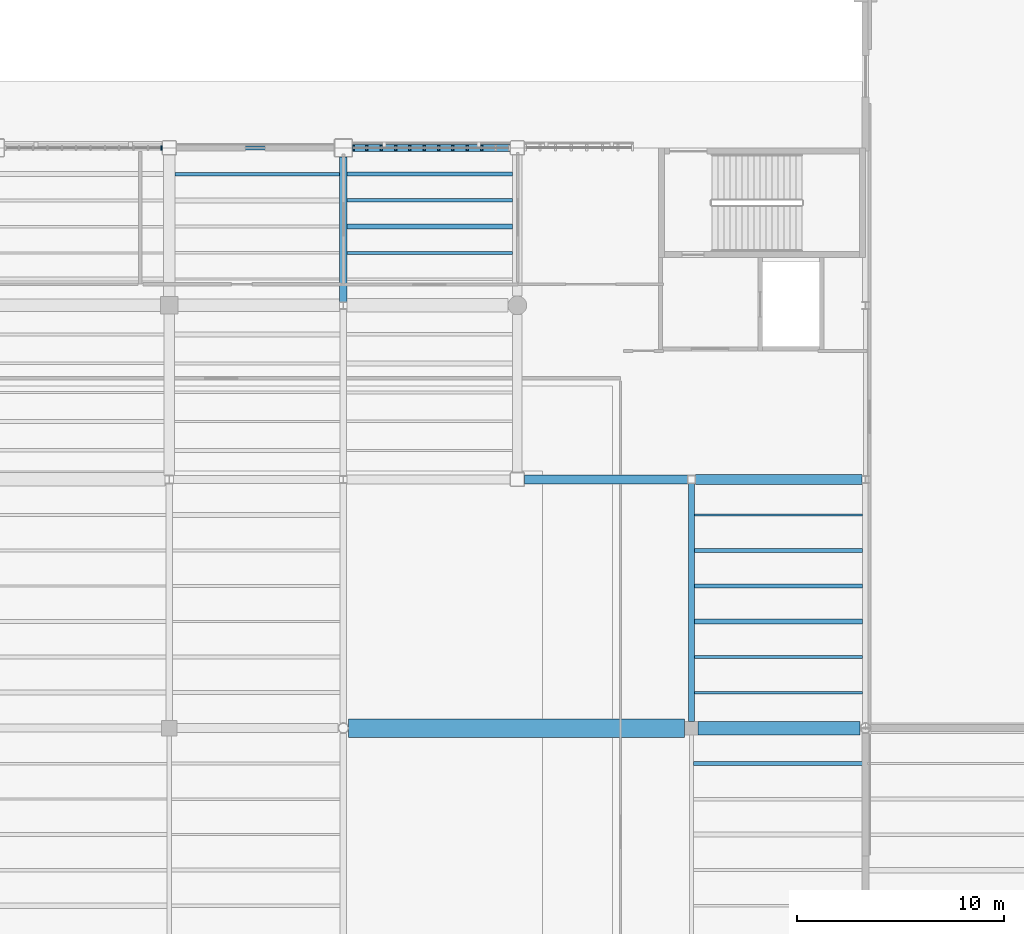
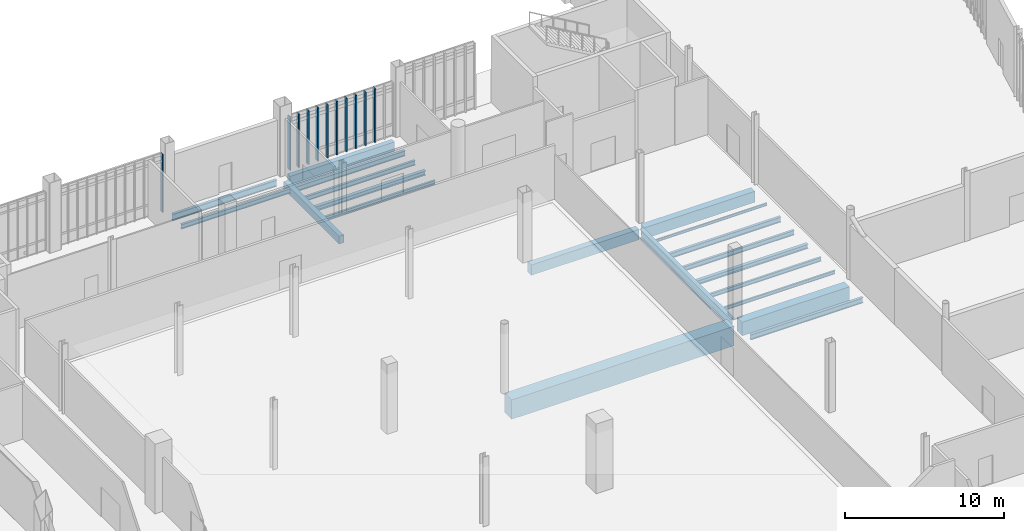
# One storey, part 26 of 111: 20 beams, 11 members, 2 elements without a shape of their own.
"""IFC4 building model written with IfcOpenShell, lengths in metres."""

from ifc_helpers import new_model, si_unit, direction, frame, origin, origin_2d, place, context, subcontext, project, spatial, rectangle, i_section, extrude, material, material_profile, profile_set, type_object, element, aggregate, save


model = new_model("IFC4")

# Units and contexts
model_context = context("Model", 3, precision=1e-05, world=origin(), true_north=direction((0.0, 1.0)))
body_context = subcontext(model_context, "Body", "Model", "MODEL_VIEW")
ifc_project = project(units=[si_unit("LENGTHUNIT", "METRE"), si_unit("AREAUNIT", "SQUARE_METRE"), si_unit("VOLUMEUNIT", "CUBIC_METRE"), si_unit("PLANEANGLEUNIT", "RADIAN"), si_unit("MASSUNIT", "GRAM", prefix="KILO")], contexts=[model_context])

# Site, building, storey
site_placement = place(None, origin())
site = spatial("IfcSite", under=ifc_project, at=site_placement, CompositionType="ELEMENT")
building_placement = place(site_placement, origin())
building = spatial("IfcBuilding", under=site, at=building_placement, Name="Larkvane Passage Sports Hall", CompositionType="ELEMENT")
storey_placement = place(building_placement, origin())
storey = spatial("IfcBuildingStorey", under=building, at=storey_placement, Name="L00", CompositionType="ELEMENT", Elevation=0.0)

# Beams
ifc_material_1 = material(Name="Concrete C40/50", Category="concrete")
ifc_material_profile_1 = material_profile(ifc_material_1, rectangle(XDim=0.35009765625, YDim=0.60009765625, at=origin_2d()), Name="RC-BM-350x600")
ifc_profile_set_1 = profile_set([ifc_material_profile_1], Name="Concrete C40/50")
beam_type_1 = type_object("IfcBeamType", Name="BM-RC-350x600", PredefinedType="BEAM", material=ifc_profile_set_1)
beam_1_placement = place(storey_placement, frame((68.39990234375, 84.175048828125, -0.719970703125), z_axis=(0.0, 1.0, 0.0), x_axis=(-1.0, 0.0, 0.0)))
element("IfcBeam", 1, at=beam_1_placement, inside=storey, type_object=beam_type_1, Name="Girder BM5-Y-L00-10-0106", PredefinedType="BEAM", context=body_context, shape_type="SweptSolid", body=[
    extrude(rectangle(XDim=0.35009765625, YDim=0.60009765625, at=origin_2d()), origin(), (0.0, 0.0, 1.0), 6.974853515625),
])
ifc_material_profile_2 = material_profile(ifc_material_1, rectangle(XDim=0.449951171875, YDim=0.800048828125, at=origin_2d()), Name="RC-BM-450x800")
ifc_profile_set_2 = profile_set([ifc_material_profile_2], Name="Concrete C40/50")
beam_type_2 = type_object("IfcBeamType", Name="BM-RC-450x800", PredefinedType="BEAM", material=ifc_profile_set_2)
beam_2_placement = place(storey_placement, frame((77.14990234375, 75.60009765625, -0.820068359375), z_axis=(1.0, 0.0, 0.0), x_axis=(0.0, 1.0, 0.0)))
element("IfcBeam", 2, at=beam_2_placement, inside=storey, type_object=beam_type_2, Name="Girder BM5-X-L00-J-0058", PredefinedType="BEAM", context=body_context, shape_type="SweptSolid", body=[
    extrude(rectangle(XDim=0.449951171875, YDim=0.800048828125, at=origin_2d()), origin(), (0.0, 0.0, 1.0), 7.85009765625),
])
ifc_material_profile_3 = material_profile(ifc_material_1, rectangle(XDim=0.5, YDim=0.85009765625, at=origin_2d()), Name="RC-BM-500x850")
ifc_profile_set_3 = profile_set([ifc_material_profile_3], Name="Concrete C40/50")
beam_type_3 = type_object("IfcBeamType", Name="BM-RC-500x850", PredefinedType="BEAM", material=ifc_profile_set_3)
beam_3_placement = place(storey_placement, frame((85.39990234375, 75.60009765625, -0.844970703125), z_axis=(1.0, 0.0, 0.0), x_axis=(0.0, 1.0, 0.0)))
element("IfcBeam", 3, at=beam_3_placement, inside=storey, type_object=beam_type_3, Name="Girder BM5-X-L00-J-0059", PredefinedType="BEAM", context=body_context, shape_type="SweptSolid", body=[
    extrude(rectangle(XDim=0.5, YDim=0.85009765625, at=origin_2d()), origin(), (0.0, 0.0, 1.0), 8.025146484375),
])
ifc_material_2 = material(Name="Steel S460N", Category="steel")
ifc_material_profile_4 = material_profile(ifc_material_2, i_section(OverallWidth=0.300048828125, OverallDepth=0.69189453125, WebThickness=0.012939453125, FlangeThickness=0.02001953125, FilletRadius=0.02197265625, at=origin_2d()), Name="H-692x300x13x20")
ifc_profile_set_4 = profile_set([ifc_material_profile_4], Name="Steel S460N")
beam_type_4 = type_object("IfcBeamType", Name="BM-STL-H692", PredefinedType="BEAM", material=ifc_profile_set_4)
beam_4_placement = place(storey_placement, frame((85.199951171875, 63.925048828125, -0.76611328125), z_axis=(0.0, 1.0, 0.0), x_axis=(-1.0, 0.0, 0.0)))
element("IfcBeam", 4, at=beam_4_placement, inside=storey, type_object=beam_type_4, Name="Girder BM5-Y-L00-12-0114", PredefinedType="BEAM", context=body_context, shape_type="SweptSolid", body=[
    extrude(i_section(OverallWidth=0.300048828125, OverallDepth=0.69189453125, WebThickness=0.012939453125, FlangeThickness=0.02001953125, FilletRadius=0.02197265625, at=origin_2d()), origin(), (0.0, 0.0, 1.0), 11.474853515625),
])

# Curtain wall, member
ifc_material_3 = material(Name="Thermally broken aluminium and low-E glazing", Category="aluminium")
curtain_wall_type_1 = type_object("IfcCurtainWallType", Name="CW-UNIT-VEIL", PredefinedType="USERDEFINED", material=ifc_material_3)
curtain_wall_1_placement = place(storey_placement, origin())
curtain_wall_1 = element("IfcCurtainWall", 5, at=curtain_wall_1_placement, inside=storey, type_object=curtain_wall_type_1, Name="Curtain wall CW5-L00-009", ObjectType="UNITISED CURTAIN WALL", PredefinedType="USERDEFINED")
ifc_material_4 = material(Name="Anodised aluminium 6063-T6", Category="aluminium")
ifc_material_profile_5 = material_profile(ifc_material_4, rectangle(XDim=0.074951171875, YDim=0.22509765625, at=origin_2d()), Name="ALU-MUL-75x225")
ifc_profile_set_5 = profile_set([ifc_material_profile_5], Name="Anodised aluminium 6063-T6")
member_type_1 = type_object("IfcMemberType", Name="CW-MUL-75x225", PredefinedType="MULLION", material=ifc_profile_set_5)
member_1_placement = place(storey_placement, frame((59.616455078125, 91.60009765625, 0.0), z_axis=(0.0, 0.0, 1.0), x_axis=(1.0, 0.0, 0.0)))
member_1 = element("IfcMember", 6, at=member_1_placement, type_object=member_type_1, Name="CW-02 mullion 12", PredefinedType="MULLION", context=body_context, shape_type="SweptSolid", body=[
    extrude(rectangle(XDim=0.074951171875, YDim=0.22509765625, at=origin_2d()), origin(), (0.0, 0.0, 1.0), 4.468017578125),
])
aggregate(curtain_wall_1, [member_1])

# Curtain wall, members
curtain_wall_type_2 = type_object("IfcCurtainWallType", Name="CW-STICK-FOYER", PredefinedType="USERDEFINED", material=ifc_material_3)
curtain_wall_2_placement = place(storey_placement, origin())
curtain_wall_2 = element("IfcCurtainWall", 7, at=curtain_wall_2_placement, inside=storey, type_object=curtain_wall_type_2, Name="Curtain wall CW5-L00-010", ObjectType="STICK CURTAIN WALL", PredefinedType="USERDEFINED")
ifc_material_profile_6 = material_profile(ifc_material_4, rectangle(XDim=0.090087890625, YDim=0.280029296875, at=origin_2d()), Name="ALU-MUL-90x280")
ifc_profile_set_6 = profile_set([ifc_material_profile_6], Name="Anodised aluminium 6063-T6")
member_type_2 = type_object("IfcMemberType", Name="CW-MUL-90x280", PredefinedType="MULLION", material=ifc_profile_set_6)
member_2_placement = place(storey_placement, frame((68.89111328125, 91.60009765625, 0.0), z_axis=(0.0, 0.0, 1.0), x_axis=(1.0, 0.0, 0.0)))
member_2 = element("IfcMember", 8, at=member_2_placement, type_object=member_type_2, Name="CW-03 mullion 1", PredefinedType="MULLION", context=body_context, shape_type="SweptSolid", body=[
    extrude(rectangle(XDim=0.090087890625, YDim=0.280029296875, at=origin_2d()), origin(), (0.0, 0.0, 1.0), 4.117919921875),
])
member_3_placement = place(storey_placement, frame((69.53759765625, 91.60009765625, 0.0), z_axis=(0.0, 0.0, 1.0), x_axis=(1.0, 0.0, 0.0)))
member_3 = element("IfcMember", 9, at=member_3_placement, type_object=member_type_2, Name="CW-03 mullion 2", PredefinedType="MULLION", context=body_context, shape_type="SweptSolid", body=[
    extrude(rectangle(XDim=0.090087890625, YDim=0.280029296875, at=origin_2d()), origin(), (0.0, 0.0, 1.0), 4.117919921875),
])
member_4_placement = place(storey_placement, frame((70.229248046875, 91.60009765625, 0.0), z_axis=(0.0, 0.0, 1.0), x_axis=(1.0, 0.0, 0.0)))
member_4 = element("IfcMember", 10, at=member_4_placement, type_object=member_type_2, Name="CW-03 mullion 3", PredefinedType="MULLION", context=body_context, shape_type="SweptSolid", body=[
    extrude(rectangle(XDim=0.090087890625, YDim=0.280029296875, at=origin_2d()), origin(), (0.0, 0.0, 1.0), 4.117919921875),
])
member_5_placement = place(storey_placement, frame((70.9208984375, 91.60009765625, 0.0), z_axis=(0.0, 0.0, 1.0), x_axis=(1.0, 0.0, 0.0)))
member_5 = element("IfcMember", 11, at=member_5_placement, type_object=member_type_2, Name="CW-03 mullion 4", PredefinedType="MULLION", context=body_context, shape_type="SweptSolid", body=[
    extrude(rectangle(XDim=0.090087890625, YDim=0.280029296875, at=origin_2d()), origin(), (0.0, 0.0, 1.0), 4.117919921875),
])
member_6_placement = place(storey_placement, frame((71.612548828125, 91.60009765625, 0.0), z_axis=(0.0, 0.0, 1.0), x_axis=(1.0, 0.0, 0.0)))
member_6 = element("IfcMember", 12, at=member_6_placement, type_object=member_type_2, Name="CW-03 mullion 5", PredefinedType="MULLION", context=body_context, shape_type="SweptSolid", body=[
    extrude(rectangle(XDim=0.090087890625, YDim=0.280029296875, at=origin_2d()), origin(), (0.0, 0.0, 1.0), 4.117919921875),
])
member_7_placement = place(storey_placement, frame((72.30419921875, 91.60009765625, 0.0), z_axis=(0.0, 0.0, 1.0), x_axis=(1.0, 0.0, 0.0)))
member_7 = element("IfcMember", 13, at=member_7_placement, type_object=member_type_2, Name="CW-03 mullion 6", PredefinedType="MULLION", context=body_context, shape_type="SweptSolid", body=[
    extrude(rectangle(XDim=0.090087890625, YDim=0.280029296875, at=origin_2d()), origin(), (0.0, 0.0, 1.0), 4.117919921875),
])
member_8_placement = place(storey_placement, frame((72.995849609375, 91.60009765625, 0.0), z_axis=(0.0, 0.0, 1.0), x_axis=(1.0, 0.0, 0.0)))
member_8 = element("IfcMember", 14, at=member_8_placement, type_object=member_type_2, Name="CW-03 mullion 7", PredefinedType="MULLION", context=body_context, shape_type="SweptSolid", body=[
    extrude(rectangle(XDim=0.090087890625, YDim=0.280029296875, at=origin_2d()), origin(), (0.0, 0.0, 1.0), 4.117919921875),
])
member_9_placement = place(storey_placement, frame((73.6875, 91.60009765625, 0.0), z_axis=(0.0, 0.0, 1.0), x_axis=(1.0, 0.0, 0.0)))
member_9 = element("IfcMember", 15, at=member_9_placement, type_object=member_type_2, Name="CW-03 mullion 8", PredefinedType="MULLION", context=body_context, shape_type="SweptSolid", body=[
    extrude(rectangle(XDim=0.090087890625, YDim=0.280029296875, at=origin_2d()), origin(), (0.0, 0.0, 1.0), 4.117919921875),
])
member_10_placement = place(storey_placement, frame((74.379150390625, 91.60009765625, 0.0), z_axis=(0.0, 0.0, 1.0), x_axis=(1.0, 0.0, 0.0)))
member_10 = element("IfcMember", 16, at=member_10_placement, type_object=member_type_2, Name="CW-03 mullion 9", PredefinedType="MULLION", context=body_context, shape_type="SweptSolid", body=[
    extrude(rectangle(XDim=0.090087890625, YDim=0.280029296875, at=origin_2d()), origin(), (0.0, 0.0, 1.0), 4.117919921875),
])
member_11_placement = place(storey_placement, frame((75.07080078125, 91.60009765625, 0.0), z_axis=(0.0, 0.0, 1.0), x_axis=(1.0, 0.0, 0.0)))
member_11 = element("IfcMember", 17, at=member_11_placement, type_object=member_type_2, Name="CW-03 mullion 10", PredefinedType="MULLION", context=body_context, shape_type="SweptSolid", body=[
    extrude(rectangle(XDim=0.090087890625, YDim=0.280029296875, at=origin_2d()), origin(), (0.0, 0.0, 1.0), 4.117919921875),
])
aggregate(curtain_wall_2, [member_2, member_3, member_4, member_5, member_6, member_7, member_8, member_9, member_10, member_11])

# Beams
ifc_material_5 = material(Name="Steel S355JR", Category="steel")
ifc_material_profile_7 = material_profile(ifc_material_5, i_section(OverallWidth=0.10009765625, OverallDepth=0.199951171875, WebThickness=0.005615234375, FlangeThickness=0.008056640625, FilletRadius=0.008056640625, at=origin_2d()), Name="H-200x100x5.5x8")
ifc_profile_set_7 = profile_set([ifc_material_profile_7], Name="Steel S355JR")
beam_type_5 = type_object("IfcBeamType", Name="JST-STL-H200", PredefinedType="JOIST", material=ifc_profile_set_7)
beam_5_placement = place(storey_placement, frame((85.35009765625, 73.8857421875, -0.52001953125), z_axis=(1.0, 0.0, 0.0), x_axis=(0.0, 1.0, 0.0)))
element("IfcBeam", 18, at=beam_5_placement, inside=storey, type_object=beam_type_5, Name="Composite joist L00 12/H-6", PredefinedType="JOIST", context=body_context, shape_type="SweptSolid", body=[
    extrude(i_section(OverallWidth=0.10009765625, OverallDepth=0.199951171875, WebThickness=0.005615234375, FlangeThickness=0.008056640625, FilletRadius=0.008056640625, at=origin_2d()), origin(), (0.0, 0.0, 1.0), 8.099853515625),
])
ifc_material_profile_8 = material_profile(ifc_material_5, i_section(OverallWidth=0.125, OverallDepth=0.25, WebThickness=0.006103515625, FlangeThickness=0.009033203125, FilletRadius=0.008056640625, at=origin_2d()), Name="H-250x125x6x9")
ifc_profile_set_8 = profile_set([ifc_material_profile_8], Name="Steel S355JR")
beam_type_6 = type_object("IfcBeamType", Name="JST-STL-H250", PredefinedType="JOIST", material=ifc_profile_set_8)
beam_6_placement = place(storey_placement, frame((85.35009765625, 65.314208984375, -0.544921875), z_axis=(1.0, 0.0, 0.0), x_axis=(0.0, 1.0, 0.0)))
element("IfcBeam", 19, at=beam_6_placement, inside=storey, type_object=beam_type_6, Name="Composite joist L00 12/H-1", PredefinedType="JOIST", context=body_context, shape_type="SweptSolid", body=[
    extrude(i_section(OverallWidth=0.125, OverallDepth=0.25, WebThickness=0.006103515625, FlangeThickness=0.009033203125, FilletRadius=0.008056640625, at=origin_2d()), origin(), (0.0, 0.0, 1.0), 8.099853515625),
])
ifc_material_profile_9 = material_profile(ifc_material_5, i_section(OverallWidth=0.14990234375, OverallDepth=0.300048828125, WebThickness=0.006591796875, FlangeThickness=0.009033203125, FilletRadius=0.012939453125, at=origin_2d()), Name="H-300x150x6.5x9")
ifc_profile_set_9 = profile_set([ifc_material_profile_9], Name="Steel S355JR")
beam_type_7 = type_object("IfcBeamType", Name="JST-STL-H300", PredefinedType="JOIST", material=ifc_profile_set_9)
beam_7_placement = place(storey_placement, frame((68.574951171875, 86.533447265625, -0.570068359375), z_axis=(1.0, 0.0, 0.0), x_axis=(0.0, 1.0, 0.0)))
element("IfcBeam", 20, at=beam_7_placement, inside=storey, type_object=beam_type_7, Name="Composite joist L00 10/K-2", PredefinedType="JOIST", context=body_context, shape_type="SweptSolid", body=[
    extrude(i_section(OverallWidth=0.14990234375, OverallDepth=0.300048828125, WebThickness=0.006591796875, FlangeThickness=0.009033203125, FilletRadius=0.012939453125, at=origin_2d()), origin(), (0.0, 0.0, 1.0), 8.0),
])
beam_8_placement = place(storey_placement, frame((85.35009765625, 67.028564453125, -0.570068359375), z_axis=(1.0, 0.0, 0.0), x_axis=(0.0, 1.0, 0.0)))
element("IfcBeam", 21, at=beam_8_placement, inside=storey, type_object=beam_type_7, Name="Composite joist L00 12/H-2", PredefinedType="JOIST", context=body_context, shape_type="SweptSolid", body=[
    extrude(i_section(OverallWidth=0.14990234375, OverallDepth=0.300048828125, WebThickness=0.006591796875, FlangeThickness=0.009033203125, FilletRadius=0.012939453125, at=origin_2d()), origin(), (0.0, 0.0, 1.0), 8.099853515625),
])
ifc_material_profile_10 = material_profile(ifc_material_5, i_section(OverallWidth=0.25, OverallDepth=0.340087890625, WebThickness=0.009033203125, FlangeThickness=0.013916015625, FilletRadius=0.012939453125, at=origin_2d()), Name="H-340x250x9x14")
ifc_profile_set_10 = profile_set([ifc_material_profile_10], Name="Steel S355JR")
beam_type_8 = type_object("IfcBeamType", Name="JST-STL-H340", PredefinedType="JOIST", material=ifc_profile_set_10)
beam_9_placement = place(storey_placement, frame((68.574951171875, 87.800048828125, -0.590087890625), z_axis=(1.0, 0.0, 0.0), x_axis=(0.0, 1.0, 0.0)))
element("IfcBeam", 22, at=beam_9_placement, inside=storey, type_object=beam_type_8, Name="Composite joist L00 10/K-3", PredefinedType="JOIST", context=body_context, shape_type="SweptSolid", body=[
    extrude(i_section(OverallWidth=0.25, OverallDepth=0.340087890625, WebThickness=0.009033203125, FlangeThickness=0.013916015625, FilletRadius=0.012939453125, at=origin_2d()), origin(), (0.0, 0.0, 1.0), 8.0),
])
beam_10_placement = place(storey_placement, frame((85.35009765625, 68.742919921875, -0.590087890625), z_axis=(1.0, 0.0, 0.0), x_axis=(0.0, 1.0, 0.0)))
element("IfcBeam", 23, at=beam_10_placement, inside=storey, type_object=beam_type_8, Name="Composite joist L00 12/H-3", PredefinedType="JOIST", context=body_context, shape_type="SweptSolid", body=[
    extrude(i_section(OverallWidth=0.25, OverallDepth=0.340087890625, WebThickness=0.009033203125, FlangeThickness=0.013916015625, FilletRadius=0.012939453125, at=origin_2d()), origin(), (0.0, 0.0, 1.0), 8.099853515625),
])
ifc_material_profile_11 = material_profile(ifc_material_5, i_section(OverallWidth=0.175048828125, OverallDepth=0.35009765625, WebThickness=0.007080078125, FlangeThickness=0.010986328125, FilletRadius=0.012939453125, at=origin_2d()), Name="H-350x175x7x11")
ifc_profile_set_11 = profile_set([ifc_material_profile_11], Name="Steel S355JR")
beam_type_9 = type_object("IfcBeamType", Name="JST-STL-H350", PredefinedType="JOIST", material=ifc_profile_set_11)
beam_11_placement = place(storey_placement, frame((60.27490234375, 90.333251953125, -0.594970703125), z_axis=(1.0, 0.0, 0.0), x_axis=(0.0, 1.0, 0.0)))
element("IfcBeam", 24, at=beam_11_placement, inside=storey, type_object=beam_type_9, Name="Composite joist L00 9/K-5", PredefinedType="JOIST", context=body_context, shape_type="SweptSolid", body=[
    extrude(i_section(OverallWidth=0.175048828125, OverallDepth=0.35009765625, WebThickness=0.007080078125, FlangeThickness=0.010986328125, FilletRadius=0.012939453125, at=origin_2d()), origin(), (0.0, 0.0, 1.0), 7.9501953125),
])
beam_12_placement = place(storey_placement, frame((68.574951171875, 89.066650390625, -0.594970703125), z_axis=(1.0, 0.0, 0.0), x_axis=(0.0, 1.0, 0.0)))
element("IfcBeam", 25, at=beam_12_placement, inside=storey, type_object=beam_type_9, Name="Composite joist L00 10/K-4", PredefinedType="JOIST", context=body_context, shape_type="SweptSolid", body=[
    extrude(i_section(OverallWidth=0.175048828125, OverallDepth=0.35009765625, WebThickness=0.007080078125, FlangeThickness=0.010986328125, FilletRadius=0.012939453125, at=origin_2d()), origin(), (0.0, 0.0, 1.0), 8.0),
])
beam_13_placement = place(storey_placement, frame((85.35009765625, 70.45703125, -0.594970703125), z_axis=(1.0, 0.0, 0.0), x_axis=(0.0, 1.0, 0.0)))
element("IfcBeam", 26, at=beam_13_placement, inside=storey, type_object=beam_type_9, Name="Composite joist L00 12/H-4", PredefinedType="JOIST", context=body_context, shape_type="SweptSolid", body=[
    extrude(i_section(OverallWidth=0.175048828125, OverallDepth=0.35009765625, WebThickness=0.007080078125, FlangeThickness=0.010986328125, FilletRadius=0.012939453125, at=origin_2d()), origin(), (0.0, 0.0, 1.0), 8.099853515625),
])
ifc_material_profile_12 = material_profile(ifc_material_5, i_section(OverallWidth=0.199951171875, OverallDepth=0.39990234375, WebThickness=0.008056640625, FlangeThickness=0.012939453125, FilletRadius=0.012939453125, at=origin_2d()), Name="H-400x200x8x13")
ifc_profile_set_12 = profile_set([ifc_material_profile_12], Name="Steel S355JR")
beam_type_10 = type_object("IfcBeamType", Name="JST-STL-H400", PredefinedType="JOIST", material=ifc_profile_set_12)
beam_14_placement = place(storey_placement, frame((68.574951171875, 90.333251953125, -0.6201171875), z_axis=(1.0, 0.0, 0.0), x_axis=(0.0, 1.0, 0.0)))
element("IfcBeam", 27, at=beam_14_placement, inside=storey, type_object=beam_type_10, Name="Composite joist L00 10/K-5", PredefinedType="JOIST", context=body_context, shape_type="SweptSolid", body=[
    extrude(i_section(OverallWidth=0.199951171875, OverallDepth=0.39990234375, WebThickness=0.008056640625, FlangeThickness=0.012939453125, FilletRadius=0.012939453125, at=origin_2d()), origin(), (0.0, 0.0, 1.0), 8.0),
])
beam_15_placement = place(storey_placement, frame((85.300048828125, 61.8857421875, -0.6201171875), z_axis=(1.0, 0.0, 0.0), x_axis=(0.0, 1.0, 0.0)))
element("IfcBeam", 28, at=beam_15_placement, inside=storey, type_object=beam_type_10, Name="Composite joist L00 12/G-6", PredefinedType="JOIST", context=body_context, shape_type="SweptSolid", body=[
    extrude(i_section(OverallWidth=0.199951171875, OverallDepth=0.39990234375, WebThickness=0.008056640625, FlangeThickness=0.012939453125, FilletRadius=0.012939453125, at=origin_2d()), origin(), (0.0, 0.0, 1.0), 8.199951171875),
])
beam_16_placement = place(storey_placement, frame((85.35009765625, 72.17138671875, -0.6201171875), z_axis=(1.0, 0.0, 0.0), x_axis=(0.0, 1.0, 0.0)))
element("IfcBeam", 29, at=beam_16_placement, inside=storey, type_object=beam_type_10, Name="Composite joist L00 12/H-5", PredefinedType="JOIST", context=body_context, shape_type="SweptSolid", body=[
    extrude(i_section(OverallWidth=0.199951171875, OverallDepth=0.39990234375, WebThickness=0.008056640625, FlangeThickness=0.012939453125, FilletRadius=0.012939453125, at=origin_2d()), origin(), (0.0, 0.0, 1.0), 8.099853515625),
])
ifc_material_6 = material(Name="Concrete C50/60", Category="concrete")
ifc_material_profile_13 = material_profile(ifc_material_6, rectangle(XDim=0.89990234375, YDim=1.5, at=origin_2d()), Name="PT-GIR-900x1500")
ifc_profile_set_13 = profile_set([ifc_material_profile_13], Name="Concrete C50/60")
beam_type_11 = type_object("IfcBeamType", Name="PTG-900x1500", PredefinedType="BEAM", material=ifc_profile_set_13)
beam_17_placement = place(storey_placement, frame((68.654052734375, 63.60009765625, -1.169921875), z_axis=(1.0, 0.0, 0.0), x_axis=(0.0, 1.0, 0.0)))
element("IfcBeam", 30, at=beam_17_placement, inside=storey, type_object=beam_type_11, Name="Post-tensioned transfer girder BM5-X-L00-H-0045", PredefinedType="BEAM", context=body_context, shape_type="SweptSolid", body=[
    extrude(rectangle(XDim=0.89990234375, YDim=1.5, at=origin_2d()), origin(), (0.0, 0.0, 1.0), 16.220947265625),
])
ifc_material_profile_14 = material_profile(ifc_material_1, rectangle(XDim=0.35009765625, YDim=0.75, at=origin_2d()), Name="RC-SP-350x750")
ifc_profile_set_14 = profile_set([ifc_material_profile_14], Name="Concrete C40/50")
beam_type_12 = type_object("IfcBeamType", Name="SP-RC-350x750", PredefinedType="SPANDREL", material=ifc_profile_set_14)
beam_18_placement = place(storey_placement, frame((68.85009765625, 91.60009765625, -0.794921875), z_axis=(1.0, 0.0, 0.0), x_axis=(0.0, 1.0, 0.0)))
element("IfcBeam", 31, at=beam_18_placement, inside=storey, type_object=beam_type_12, Name="Girder BM5-X-L00-L-0069", PredefinedType="SPANDREL", context=body_context, shape_type="SweptSolid", body=[
    extrude(rectangle(XDim=0.35009765625, YDim=0.75, at=origin_2d()), origin(), (0.0, 0.0, 1.0), 7.599853515625),
])
ifc_material_profile_15 = material_profile(ifc_material_5, i_section(OverallWidth=0.199951171875, OverallDepth=0.5, WebThickness=0.010009765625, FlangeThickness=0.01611328125, FilletRadius=0.01806640625, at=origin_2d()), Name="H-500x200x10x16")
ifc_profile_set_15 = profile_set([ifc_material_profile_15], Name="Steel S355JR")
beam_type_13 = type_object("IfcBeamType", Name="SP-STL-H500", PredefinedType="SPANDREL", material=ifc_profile_set_15)
beam_19_placement = place(storey_placement, frame((60.35009765625, 91.60009765625, -0.669921875), z_axis=(1.0, 0.0, 0.0), x_axis=(0.0, 1.0, 0.0)))
element("IfcBeam", 32, at=beam_19_placement, inside=storey, type_object=beam_type_13, Name="Girder BM5-X-L00-L-0068", PredefinedType="SPANDREL", context=body_context, shape_type="SweptSolid", body=[
    extrude(i_section(OverallWidth=0.199951171875, OverallDepth=0.5, WebThickness=0.010009765625, FlangeThickness=0.01611328125, FilletRadius=0.01806640625, at=origin_2d()), origin(), (0.0, 0.0, 1.0), 7.599853515625),
])
ifc_material_7 = material(Name="Precast concrete C45/55", Category="concrete")
ifc_material_profile_16 = material_profile(ifc_material_7, rectangle(XDim=0.64990234375, YDim=1.050048828125, at=origin_2d()), Name="RC-TB-650x1050")
ifc_profile_set_16 = profile_set([ifc_material_profile_16], Name="Precast concrete C45/55")
beam_type_14 = type_object("IfcBeamType", Name="TB-RC-650x1050", PredefinedType="T_BEAM", material=ifc_profile_set_16)
beam_20_placement = place(storey_placement, frame((85.52490234375, 63.60009765625, -0.945068359375), z_axis=(1.0, 0.0, 0.0), x_axis=(0.0, 1.0, 0.0)))
element("IfcBeam", 33, at=beam_20_placement, inside=storey, type_object=beam_type_14, Name="Girder BM5-X-L00-H-0046", PredefinedType="T_BEAM", context=body_context, shape_type="SweptSolid", body=[
    extrude(rectangle(XDim=0.64990234375, YDim=1.050048828125, at=origin_2d()), origin(), (0.0, 0.0, 1.0), 7.821044921875),
])

save(model, "model.ifc")
